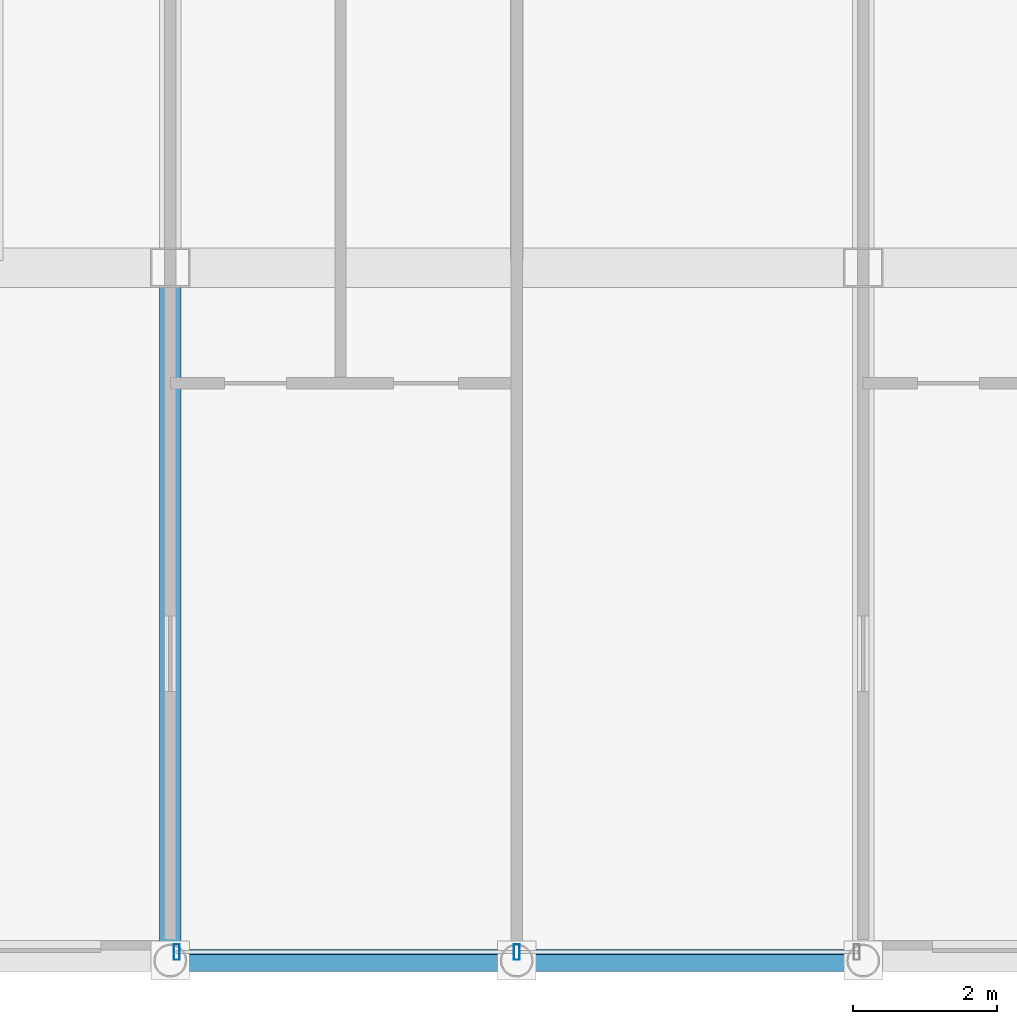
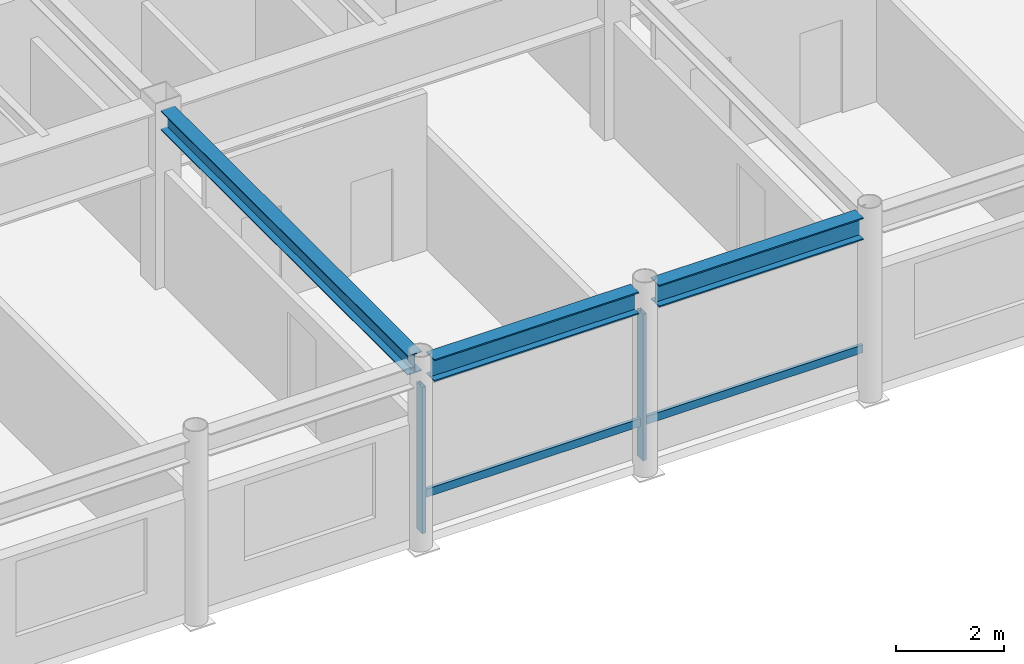
# One storey, part 5 of 23: 4 members, 3 beams, 1 element without a shape of its own.
"""IFC4 building model written with IfcOpenShell, lengths in metres."""

from ifc_helpers import new_model, si_unit, direction, frame, origin, origin_2d, place, context, subcontext, project, spatial, hollow_rectangle, i_section, extrude, material, layer, layer_set, material_profile, profile_set, type_object, element, aggregate, save


model = new_model("IFC4")

# Units and contexts
model_context = context("Model", 3, precision=1e-05, world=origin(), true_north=direction((0.0, 1.0)))
body_context = subcontext(model_context, "Body", "Model", "MODEL_VIEW")
ifc_project = project(units=[si_unit("LENGTHUNIT", "METRE"), si_unit("AREAUNIT", "SQUARE_METRE"), si_unit("VOLUMEUNIT", "CUBIC_METRE"), si_unit("PLANEANGLEUNIT", "RADIAN"), si_unit("MASSUNIT", "GRAM", prefix="KILO")], contexts=[model_context])

# Site, building, storey
site_placement = place(None, origin())
site = spatial("IfcSite", under=ifc_project, at=site_placement, CompositionType="ELEMENT")
building_placement = place(site_placement, origin())
building = spatial("IfcBuilding", under=site, at=building_placement, Name="Kallvorn Hotel Tower", CompositionType="ELEMENT")
storey_placement = place(building_placement, frame((0.0, 0.0, 282.199951171875)))
storey = spatial("IfcBuildingStorey", under=building, at=storey_placement, Name="L70", CompositionType="ELEMENT", Elevation=282.199951171875)

# Beams
ifc_material_1 = material(Name="Structural steel S355JR", Category="steel")
ifc_material_profile_1 = material_profile(ifc_material_1, i_section(OverallWidth=0.300048828125, OverallDepth=0.43994140625, WebThickness=0.011474609375, FlangeThickness=0.02099609375, at=origin_2d()), Name="HE 450 A")
ifc_profile_set_1 = profile_set([ifc_material_profile_1], Name="Structural steel S355JR")
beam_type_1 = type_object("IfcBeamType", Name="BM_HE450A", PredefinedType="BEAM", material=ifc_profile_set_1)
beam_placement = place(storey_placement, frame((-4.800048828125, -23.79638671875, 3.780029296875), z_axis=(0.0, 1.0, 0.0), x_axis=(-1.0, 0.0, 0.0)))
element("IfcBeam", 1, at=beam_placement, inside=storey, type_object=beam_type_1, Name="L71 Primary Y-Girder 37", PredefinedType="BEAM", context=body_context, shape_type="SweptSolid", body=[
    extrude(i_section(OverallWidth=0.300048828125, OverallDepth=0.43994140625, WebThickness=0.011474609375, FlangeThickness=0.02099609375, at=origin_2d()), origin(), (0.0, 0.0, 1.0), 9.146484375),
])
ifc_material_2 = material(Name="Structural steel S355JR", Category="steel")
ifc_material_profile_2 = material_profile(ifc_material_2, i_section(OverallWidth=0.300048828125, OverallDepth=0.5, WebThickness=0.014404296875, FlangeThickness=0.028076171875, at=origin_2d()), Name="HE 500 B")
ifc_profile_set_2 = profile_set([ifc_material_profile_2], Name="Structural steel S355JR")
beam_type_2 = type_object("IfcBeamType", Name="BM_HE500B", PredefinedType="SPANDREL", material=ifc_profile_set_2)
for number, where, z_axis, x_axis, name in (
    (2, (-4.58154296875, -24.0, 3.75), (1.0, 0.0, 0.0), (0.0, 1.0, 0.0), "L71 Perimeter Spandrel 58"),
    (3, (0.218505859375, -24.0, 3.75), (1.0, 0.0, 0.0), (0.0, 1.0, 0.0), "L71 Perimeter Spandrel 59"),
):
    element("IfcBeam", number, at=place(storey_placement, frame(where, z_axis=z_axis, x_axis=x_axis)), inside=storey, type_object=beam_type_2, Name=name, PredefinedType="SPANDREL", context=body_context, shape_type="SweptSolid", body=[
        extrude(i_section(OverallWidth=0.300048828125, OverallDepth=0.5, WebThickness=0.014404296875, FlangeThickness=0.028076171875, at=origin_2d()), origin(), (0.0, 0.0, 1.0), 4.363037109375),
    ])

# Curtain wall, members
ifc_material_3 = material(Name="Thermally broken black-anodised aluminium AA 6063-T6", Category="aluminium")
ifc_layer = layer(ifc_material_3, 0.25)
ifc_layer_set = layer_set([ifc_layer], Name="CW_SYS_6_SUMMIT_OBS")
curtain_wall_type = type_object("IfcCurtainWallType", Name="CW_SYS_6_SUMMIT_OBS", PredefinedType="USERDEFINED", material=ifc_layer_set)
curtain_wall_placement = place(storey_placement, origin())
curtain_wall = element("IfcCurtainWall", 4, at=curtain_wall_placement, inside=storey, type_object=curtain_wall_type, Name="L70 Dark-Glass Curtain Wall CW-L70-SC", ObjectType="UNITISED CURTAIN WALL", PredefinedType="USERDEFINED")
ifc_material_4 = material(Name="Thermally broken black-anodised aluminium AA 6063-T6", Category="aluminium")
ifc_material_profile_3 = material_profile(ifc_material_4, hollow_rectangle(XDim=0.080078125, YDim=0.219970703125, WallThickness=0.0048828125, at=origin_2d()), Name="MUL 220x80")
ifc_profile_set_3 = profile_set([ifc_material_profile_3], Name="Thermally broken black-anodised aluminium AA 6063-T6")
member_type_1 = type_object("IfcMemberType", Name="CW_MULLION_220x80", PredefinedType="MULLION", material=ifc_profile_set_3)
member_1_placement = place(storey_placement, frame((-4.7099609375, -23.8798828125, 0.02001953125), z_axis=(0.0, 0.0, 1.0), x_axis=(1.0, 0.0, 0.0)))
member_1 = element("IfcMember", 5, at=member_1_placement, type_object=member_type_1, Name="CW-L70-SC Mullion 00", PredefinedType="MULLION", context=body_context, shape_type="SweptSolid", body=[
    extrude(hollow_rectangle(XDim=0.080078125, YDim=0.219970703125, WallThickness=0.0048828125, at=origin_2d()), origin(), (0.0, 0.0, 1.0), 3.31005859375),
])
member_2_placement = place(storey_placement, frame((0.0, -23.8798828125, 0.02001953125), z_axis=(0.0, 0.0, 1.0), x_axis=(1.0, 0.0, 0.0)))
member_2 = element("IfcMember", 6, at=member_2_placement, type_object=member_type_1, Name="CW-L70-SC Mullion 01", PredefinedType="MULLION", context=body_context, shape_type="SweptSolid", body=[
    extrude(hollow_rectangle(XDim=0.080078125, YDim=0.219970703125, WallThickness=0.0048828125, at=origin_2d()), origin(), (0.0, 0.0, 1.0), 3.31005859375),
])
ifc_material_5 = material(Name="Thermally broken black-anodised aluminium AA 6063-T6", Category="aluminium")
ifc_material_profile_4 = material_profile(ifc_material_5, hollow_rectangle(XDim=0.070068359375, YDim=0.179931640625, WallThickness=0.00390625, at=origin_2d()), Name="TRN 180x70")
ifc_profile_set_4 = profile_set([ifc_material_profile_4], Name="Thermally broken black-anodised aluminium AA 6063-T6")
member_type_2 = type_object("IfcMemberType", Name="CW_TRANSOM_180x70", PredefinedType="USERDEFINED", material=ifc_profile_set_4)
member_3_placement = place(storey_placement, frame((-4.7099609375, -23.8798828125, 0.85009765625), z_axis=(1.0, 0.0, 0.0), x_axis=(0.0, 1.0, 0.0)))
member_3 = element("IfcMember", 7, at=member_3_placement, type_object=member_type_2, Name="CW-L70-SC Transom 00M", ObjectType="TRANSOM", PredefinedType="USERDEFINED", context=body_context, shape_type="SweptSolid", body=[
    extrude(hollow_rectangle(XDim=0.070068359375, YDim=0.179931640625, WallThickness=0.00390625, at=origin_2d()), origin(), (0.0, 0.0, 1.0), 4.669921875),
])
member_4_placement = place(storey_placement, frame((0.0400390625, -23.8798828125, 0.85009765625), z_axis=(1.0, 0.0, 0.0), x_axis=(0.0, 1.0, 0.0)))
member_4 = element("IfcMember", 8, at=member_4_placement, type_object=member_type_2, Name="CW-L70-SC Transom 01M", ObjectType="TRANSOM", PredefinedType="USERDEFINED", context=body_context, shape_type="SweptSolid", body=[
    extrude(hollow_rectangle(XDim=0.070068359375, YDim=0.179931640625, WallThickness=0.00390625, at=origin_2d()), origin(), (0.0, 0.0, 1.0), 4.669921875),
])
aggregate(curtain_wall, [member_1, member_2, member_3, member_4])

save(model, "model.ifc")
